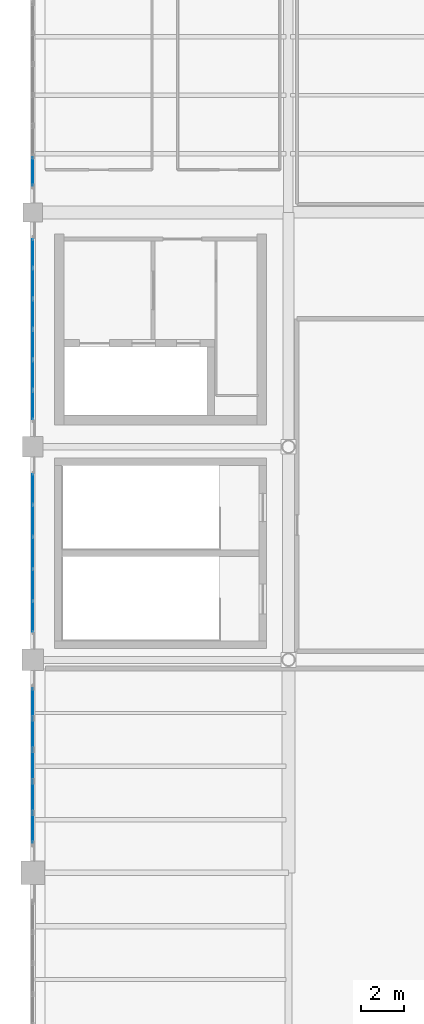
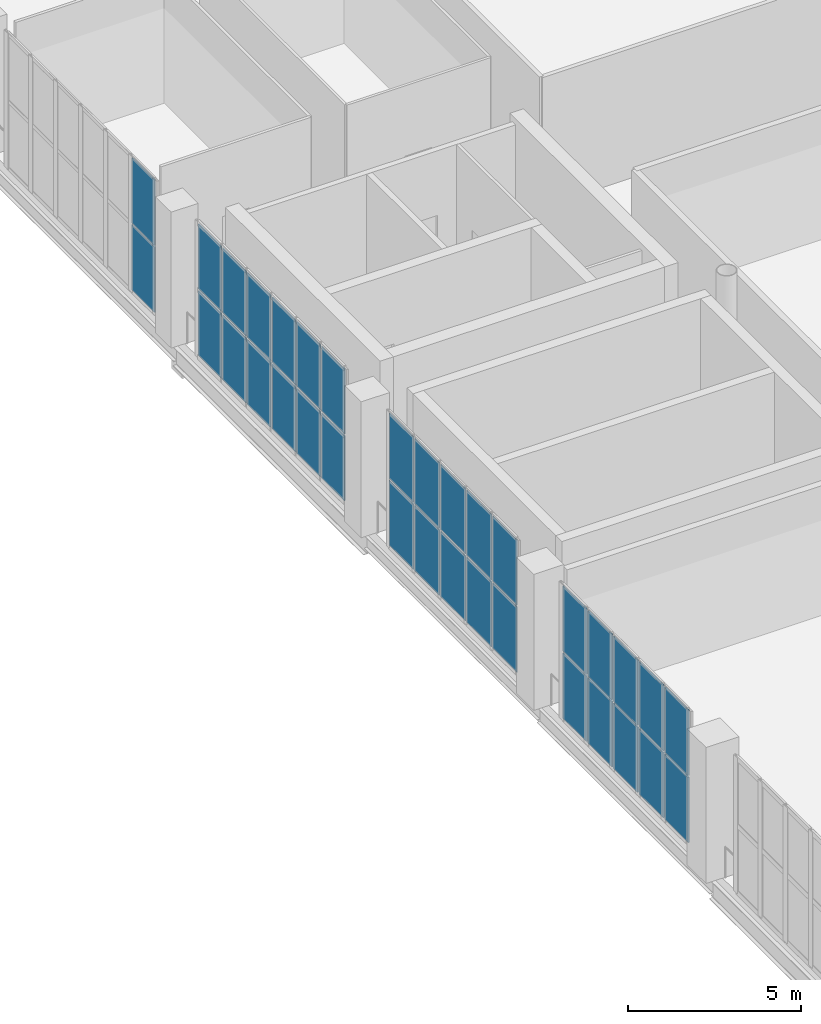
# One storey, part 33 of 49: 34 plates, 4 elements without a shape of their own.
"""IFC4 building model written with IfcOpenShell, lengths in metres."""

from ifc_helpers import new_model, si_unit, direction, frame, origin, origin_2d, place, context, subcontext, project, spatial, rectangle, extrude, material, layer, layer_set, type_object, element, aggregate, save


model = new_model("IFC4")

# Units and contexts
model_context = context("Model", 3, precision=1e-05, world=origin(), true_north=direction((0.0, 1.0)))
body_context = subcontext(model_context, "Body", "Model", "MODEL_VIEW")
ifc_project = project(units=[si_unit("LENGTHUNIT", "METRE"), si_unit("AREAUNIT", "SQUARE_METRE"), si_unit("VOLUMEUNIT", "CUBIC_METRE"), si_unit("PLANEANGLEUNIT", "RADIAN"), si_unit("MASSUNIT", "GRAM", prefix="KILO")], contexts=[model_context])

# Site, building, storey
site_placement = place(None, origin())
site = spatial("IfcSite", under=ifc_project, at=site_placement, CompositionType="ELEMENT")
building_placement = place(site_placement, origin())
building = spatial("IfcBuilding", under=site, at=building_placement, Name="Brinegate Civic Arena", CompositionType="ELEMENT")
storey_placement = place(building_placement, frame((0.0, 0.0, 24.60009765625)))
storey = spatial("IfcBuildingStorey", under=building, at=storey_placement, Name="L05", CompositionType="ELEMENT", Elevation=24.60009765625)

# Curtain wall, plates
ifc_material_1 = material(Name="Marine grade aluminium", Category="aluminium")
ifc_layer_1 = layer(ifc_material_1, 0.199951171875, Name="Marine grade aluminium")
ifc_layer_set_1 = layer_set([ifc_layer_1], Name="Marine grade aluminium")
curtain_wall_type = type_object("IfcCurtainWallType", Name="CW-BOWL-GLAZED-01", PredefinedType="USERDEFINED", material=ifc_layer_set_1)
curtain_wall_1_placement = place(storey_placement, origin())
curtain_wall_1 = element("IfcCurtainWall", 1, at=curtain_wall_1_placement, inside=storey, type_object=curtain_wall_type, Name="Curtain Wall CWA-160", ObjectType="GLAZED CURTAIN WALL", PredefinedType="USERDEFINED")
ifc_material_2 = material(Name="Hurricane laminated low-E glass", Category="glass")
ifc_layer_2 = layer(ifc_material_2, 0.028076171875, Name="Hurricane laminated low-E glass")
ifc_layer_set_2 = layer_set([ifc_layer_2], Name="Hurricane laminated low-E glass")
plate_type_1 = type_object("IfcPlateType", Name="CW-PANEL-GLAZED-28", PredefinedType="CURTAIN_PANEL", material=ifc_layer_set_2)
plate_1_placement = place(storey_placement, frame((48.0, 74.025390625, 0.06494140625), z_axis=(0.0, 0.0, 1.0), x_axis=(0.0, 1.0, 0.0)))
plate_1 = element("IfcPlate", 2, at=plate_1_placement, type_object=plate_type_1, Name="CWA-160 panel 1.1", PredefinedType="CURTAIN_PANEL", context=body_context, shape_type="SweptSolid", body=[
    extrude(rectangle(XDim=1.40673828125, YDim=0.028076171875, at=origin_2d()), origin(), (0.0, 0.0, 1.0), 2.302490234375),
])
plate_2_placement = place(storey_placement, frame((48.0, 74.025390625, 2.4326171875), z_axis=(0.0, 0.0, 1.0), x_axis=(0.0, 1.0, 0.0)))
plate_2 = element("IfcPlate", 3, at=plate_2_placement, type_object=plate_type_1, Name="CWA-160 panel 1.2", PredefinedType="CURTAIN_PANEL", context=body_context, shape_type="SweptSolid", body=[
    extrude(rectangle(XDim=1.40673828125, YDim=0.028076171875, at=origin_2d()), origin(), (0.0, 0.0, 1.0), 2.302490234375),
])
plate_3_placement = place(storey_placement, frame((48.0, 75.51318359375, 0.06494140625), z_axis=(0.0, 0.0, 1.0), x_axis=(0.0, 1.0, 0.0)))
plate_3 = element("IfcPlate", 4, at=plate_3_placement, type_object=plate_type_1, Name="CWA-160 panel 2.1", PredefinedType="CURTAIN_PANEL", context=body_context, shape_type="SweptSolid", body=[
    extrude(rectangle(XDim=1.439208984375, YDim=0.028076171875, at=origin_2d()), origin(), (0.0, 0.0, 1.0), 2.302490234375),
])
plate_4_placement = place(storey_placement, frame((48.0, 75.51318359375, 2.4326171875), z_axis=(0.0, 0.0, 1.0), x_axis=(0.0, 1.0, 0.0)))
plate_4 = element("IfcPlate", 5, at=plate_4_placement, type_object=plate_type_1, Name="CWA-160 panel 2.2", PredefinedType="CURTAIN_PANEL", context=body_context, shape_type="SweptSolid", body=[
    extrude(rectangle(XDim=1.439208984375, YDim=0.028076171875, at=origin_2d()), origin(), (0.0, 0.0, 1.0), 2.302490234375),
])
plate_5_placement = place(storey_placement, frame((48.0, 77.017578125, 0.06494140625), z_axis=(0.0, 0.0, 1.0), x_axis=(0.0, 1.0, 0.0)))
plate_5 = element("IfcPlate", 6, at=plate_5_placement, type_object=plate_type_1, Name="CWA-160 panel 3.1", PredefinedType="CURTAIN_PANEL", context=body_context, shape_type="SweptSolid", body=[
    extrude(rectangle(XDim=1.439208984375, YDim=0.028076171875, at=origin_2d()), origin(), (0.0, 0.0, 1.0), 2.302490234375),
])
plate_6_placement = place(storey_placement, frame((48.0, 77.017578125, 2.4326171875), z_axis=(0.0, 0.0, 1.0), x_axis=(0.0, 1.0, 0.0)))
plate_6 = element("IfcPlate", 7, at=plate_6_placement, type_object=plate_type_1, Name="CWA-160 panel 3.2", PredefinedType="CURTAIN_PANEL", context=body_context, shape_type="SweptSolid", body=[
    extrude(rectangle(XDim=1.439208984375, YDim=0.028076171875, at=origin_2d()), origin(), (0.0, 0.0, 1.0), 2.302490234375),
])
plate_7_placement = place(storey_placement, frame((48.0, 78.521728515625, 0.06494140625), z_axis=(0.0, 0.0, 1.0), x_axis=(0.0, 1.0, 0.0)))
plate_7 = element("IfcPlate", 8, at=plate_7_placement, type_object=plate_type_1, Name="CWA-160 panel 4.1", PredefinedType="CURTAIN_PANEL", context=body_context, shape_type="SweptSolid", body=[
    extrude(rectangle(XDim=1.439208984375, YDim=0.028076171875, at=origin_2d()), origin(), (0.0, 0.0, 1.0), 2.302490234375),
])
plate_8_placement = place(storey_placement, frame((48.0, 78.521728515625, 2.4326171875), z_axis=(0.0, 0.0, 1.0), x_axis=(0.0, 1.0, 0.0)))
plate_8 = element("IfcPlate", 9, at=plate_8_placement, type_object=plate_type_1, Name="CWA-160 panel 4.2", PredefinedType="CURTAIN_PANEL", context=body_context, shape_type="SweptSolid", body=[
    extrude(rectangle(XDim=1.439208984375, YDim=0.028076171875, at=origin_2d()), origin(), (0.0, 0.0, 1.0), 2.302490234375),
])
plate_9_placement = place(storey_placement, frame((48.0, 80.009765625, 0.06494140625), z_axis=(0.0, 0.0, 1.0), x_axis=(0.0, 1.0, 0.0)))
plate_9 = element("IfcPlate", 10, at=plate_9_placement, type_object=plate_type_1, Name="CWA-160 panel 5.1", PredefinedType="CURTAIN_PANEL", context=body_context, shape_type="SweptSolid", body=[
    extrude(rectangle(XDim=1.40673828125, YDim=0.028076171875, at=origin_2d()), origin(), (0.0, 0.0, 1.0), 2.302490234375),
])
plate_10_placement = place(storey_placement, frame((48.0, 80.009765625, 2.4326171875), z_axis=(0.0, 0.0, 1.0), x_axis=(0.0, 1.0, 0.0)))
plate_10 = element("IfcPlate", 11, at=plate_10_placement, type_object=plate_type_1, Name="CWA-160 panel 5.2", PredefinedType="CURTAIN_PANEL", context=body_context, shape_type="SweptSolid", body=[
    extrude(rectangle(XDim=1.40673828125, YDim=0.028076171875, at=origin_2d()), origin(), (0.0, 0.0, 1.0), 2.302490234375),
])
aggregate(curtain_wall_1, [plate_1, plate_2, plate_3, plate_4, plate_5, plate_6, plate_7, plate_8, plate_9, plate_10])

curtain_wall_2_placement = place(storey_placement, origin())
curtain_wall_2 = element("IfcCurtainWall", 12, at=curtain_wall_2_placement, inside=storey, type_object=curtain_wall_type, Name="Curtain Wall CWA-161", ObjectType="GLAZED CURTAIN WALL", PredefinedType="USERDEFINED")
ifc_layer_3 = layer(ifc_material_2, 0.031982421875, Name="Hurricane laminated low-E glass")
ifc_layer_set_3 = layer_set([ifc_layer_3], Name="Hurricane laminated low-E glass")
plate_type_2 = type_object("IfcPlateType", Name="CW-PANEL-GLAZED-32", PredefinedType="CURTAIN_PANEL", material=ifc_layer_set_3)
plate_11_placement = place(storey_placement, frame((48.0, 83.954345703125, 0.074951171875), z_axis=(0.0, 0.0, 1.0), x_axis=(0.0, 1.0, 0.0)))
plate_11 = element("IfcPlate", 13, at=plate_11_placement, type_object=plate_type_2, Name="CWA-161 panel 1.1", PredefinedType="CURTAIN_PANEL", context=body_context, shape_type="SweptSolid", body=[
    extrude(rectangle(XDim=1.33447265625, YDim=0.031982421875, at=origin_2d()), origin(), (0.0, 0.0, 1.0), 2.28759765625),
])
plate_12_placement = place(storey_placement, frame((48.0, 83.954345703125, 2.437255859375), z_axis=(0.0, 0.0, 1.0), x_axis=(0.0, 1.0, 0.0)))
plate_12 = element("IfcPlate", 14, at=plate_12_placement, type_object=plate_type_2, Name="CWA-161 panel 1.2", PredefinedType="CURTAIN_PANEL", context=body_context, shape_type="SweptSolid", body=[
    extrude(rectangle(XDim=1.33447265625, YDim=0.031982421875, at=origin_2d()), origin(), (0.0, 0.0, 1.0), 2.28759765625),
])
plate_13_placement = place(storey_placement, frame((48.0, 85.3701171875, 0.074951171875), z_axis=(0.0, 0.0, 1.0), x_axis=(0.0, 1.0, 0.0)))
plate_13 = element("IfcPlate", 15, at=plate_13_placement, type_object=plate_type_2, Name="CWA-161 panel 2.1", PredefinedType="CURTAIN_PANEL", context=body_context, shape_type="SweptSolid", body=[
    extrude(rectangle(XDim=1.366943359375, YDim=0.031982421875, at=origin_2d()), origin(), (0.0, 0.0, 1.0), 2.28759765625),
])
plate_14_placement = place(storey_placement, frame((48.0, 85.3701171875, 2.437255859375), z_axis=(0.0, 0.0, 1.0), x_axis=(0.0, 1.0, 0.0)))
plate_14 = element("IfcPlate", 16, at=plate_14_placement, type_object=plate_type_2, Name="CWA-161 panel 2.2", PredefinedType="CURTAIN_PANEL", context=body_context, shape_type="SweptSolid", body=[
    extrude(rectangle(XDim=1.366943359375, YDim=0.031982421875, at=origin_2d()), origin(), (0.0, 0.0, 1.0), 2.28759765625),
])
plate_15_placement = place(storey_placement, frame((48.0, 86.802001953125, 0.074951171875), z_axis=(0.0, 0.0, 1.0), x_axis=(0.0, 1.0, 0.0)))
plate_15 = element("IfcPlate", 17, at=plate_15_placement, type_object=plate_type_2, Name="CWA-161 panel 3.1", PredefinedType="CURTAIN_PANEL", context=body_context, shape_type="SweptSolid", body=[
    extrude(rectangle(XDim=1.366943359375, YDim=0.031982421875, at=origin_2d()), origin(), (0.0, 0.0, 1.0), 2.28759765625),
])
plate_16_placement = place(storey_placement, frame((48.0, 86.802001953125, 2.437255859375), z_axis=(0.0, 0.0, 1.0), x_axis=(0.0, 1.0, 0.0)))
plate_16 = element("IfcPlate", 18, at=plate_16_placement, type_object=plate_type_2, Name="CWA-161 panel 3.2", PredefinedType="CURTAIN_PANEL", context=body_context, shape_type="SweptSolid", body=[
    extrude(rectangle(XDim=1.366943359375, YDim=0.031982421875, at=origin_2d()), origin(), (0.0, 0.0, 1.0), 2.28759765625),
])
plate_17_placement = place(storey_placement, frame((48.0, 88.23388671875, 0.074951171875), z_axis=(0.0, 0.0, 1.0), x_axis=(0.0, 1.0, 0.0)))
plate_17 = element("IfcPlate", 19, at=plate_17_placement, type_object=plate_type_2, Name="CWA-161 panel 4.1", PredefinedType="CURTAIN_PANEL", context=body_context, shape_type="SweptSolid", body=[
    extrude(rectangle(XDim=1.366943359375, YDim=0.031982421875, at=origin_2d()), origin(), (0.0, 0.0, 1.0), 2.28759765625),
])
plate_18_placement = place(storey_placement, frame((48.0, 88.23388671875, 2.437255859375), z_axis=(0.0, 0.0, 1.0), x_axis=(0.0, 1.0, 0.0)))
plate_18 = element("IfcPlate", 20, at=plate_18_placement, type_object=plate_type_2, Name="CWA-161 panel 4.2", PredefinedType="CURTAIN_PANEL", context=body_context, shape_type="SweptSolid", body=[
    extrude(rectangle(XDim=1.366943359375, YDim=0.031982421875, at=origin_2d()), origin(), (0.0, 0.0, 1.0), 2.28759765625),
])
plate_19_placement = place(storey_placement, frame((48.0, 89.666015625, 0.074951171875), z_axis=(0.0, 0.0, 1.0), x_axis=(0.0, 1.0, 0.0)))
plate_19 = element("IfcPlate", 21, at=plate_19_placement, type_object=plate_type_2, Name="CWA-161 panel 5.1", PredefinedType="CURTAIN_PANEL", context=body_context, shape_type="SweptSolid", body=[
    extrude(rectangle(XDim=1.366943359375, YDim=0.031982421875, at=origin_2d()), origin(), (0.0, 0.0, 1.0), 2.28759765625),
])
plate_20_placement = place(storey_placement, frame((48.0, 89.666015625, 2.437255859375), z_axis=(0.0, 0.0, 1.0), x_axis=(0.0, 1.0, 0.0)))
plate_20 = element("IfcPlate", 22, at=plate_20_placement, type_object=plate_type_2, Name="CWA-161 panel 5.2", PredefinedType="CURTAIN_PANEL", context=body_context, shape_type="SweptSolid", body=[
    extrude(rectangle(XDim=1.366943359375, YDim=0.031982421875, at=origin_2d()), origin(), (0.0, 0.0, 1.0), 2.28759765625),
])
plate_21_placement = place(storey_placement, frame((48.0, 91.081787109375, 0.074951171875), z_axis=(0.0, 0.0, 1.0), x_axis=(0.0, 1.0, 0.0)))
plate_21 = element("IfcPlate", 23, at=plate_21_placement, type_object=plate_type_2, Name="CWA-161 panel 6.1", PredefinedType="CURTAIN_PANEL", context=body_context, shape_type="SweptSolid", body=[
    extrude(rectangle(XDim=1.33447265625, YDim=0.031982421875, at=origin_2d()), origin(), (0.0, 0.0, 1.0), 2.28759765625),
])
plate_22_placement = place(storey_placement, frame((48.0, 91.081787109375, 2.437255859375), z_axis=(0.0, 0.0, 1.0), x_axis=(0.0, 1.0, 0.0)))
plate_22 = element("IfcPlate", 24, at=plate_22_placement, type_object=plate_type_2, Name="CWA-161 panel 6.2", PredefinedType="CURTAIN_PANEL", context=body_context, shape_type="SweptSolid", body=[
    extrude(rectangle(XDim=1.33447265625, YDim=0.031982421875, at=origin_2d()), origin(), (0.0, 0.0, 1.0), 2.28759765625),
])
aggregate(curtain_wall_2, [plate_11, plate_12, plate_13, plate_14, plate_15, plate_16, plate_17, plate_18, plate_19, plate_20, plate_21, plate_22])

curtain_wall_3_placement = place(storey_placement, origin())
curtain_wall_3 = element("IfcCurtainWall", 25, at=curtain_wall_3_placement, inside=storey, type_object=curtain_wall_type, Name="Curtain Wall CWA-162", ObjectType="GLAZED CURTAIN WALL", PredefinedType="USERDEFINED")
ifc_layer_4 = layer(ifc_material_2, 0.035888671875, Name="Hurricane laminated low-E glass")
ifc_layer_set_4 = layer_set([ifc_layer_4], Name="Hurricane laminated low-E glass")
plate_type_3 = type_object("IfcPlateType", Name="CW-PANEL-GLAZED-36", PredefinedType="CURTAIN_PANEL", material=ifc_layer_set_4)
plate_23_placement = place(storey_placement, frame((48.0, 94.9267578125, 0.06494140625), z_axis=(0.0, 0.0, 1.0), x_axis=(0.0, 1.0, 0.0)))
plate_23 = element("IfcPlate", 26, at=plate_23_placement, type_object=plate_type_3, Name="CWA-162 panel 1.1", PredefinedType="CURTAIN_PANEL", context=body_context, shape_type="SweptSolid", body=[
    extrude(rectangle(XDim=1.331298828125, YDim=0.035888671875, at=origin_2d()), origin(), (0.0, 0.0, 1.0), 2.302490234375),
])
plate_24_placement = place(storey_placement, frame((48.0, 94.9267578125, 2.4326171875), z_axis=(0.0, 0.0, 1.0), x_axis=(0.0, 1.0, 0.0)))
plate_24 = element("IfcPlate", 27, at=plate_24_placement, type_object=plate_type_3, Name="CWA-162 panel 1.2", PredefinedType="CURTAIN_PANEL", context=body_context, shape_type="SweptSolid", body=[
    extrude(rectangle(XDim=1.331298828125, YDim=0.035888671875, at=origin_2d()), origin(), (0.0, 0.0, 1.0), 2.302490234375),
])
aggregate(curtain_wall_3, [plate_23, plate_24])

curtain_wall_4_placement = place(storey_placement, origin())
curtain_wall_4 = element("IfcCurtainWall", 28, at=curtain_wall_4_placement, inside=storey, type_object=curtain_wall_type, Name="Curtain Wall CWA-159", ObjectType="GLAZED CURTAIN WALL", PredefinedType="USERDEFINED")
ifc_layer_5 = layer(ifc_material_2, 0.0419921875, Name="Hurricane laminated low-E glass")
ifc_layer_set_5 = layer_set([ifc_layer_5], Name="Hurricane laminated low-E glass")
plate_type_4 = type_object("IfcPlateType", Name="CW-PANEL-SPANDREL-42", PredefinedType="CURTAIN_PANEL", material=ifc_layer_set_5)
plate_25_placement = place(storey_placement, frame((48.0, 64.089599609375, 0.06494140625), z_axis=(0.0, 0.0, 1.0), x_axis=(0.0, 1.0, 0.0)))
plate_25 = element("IfcPlate", 29, at=plate_25_placement, type_object=plate_type_4, Name="CWA-159 panel 1.1", PredefinedType="CURTAIN_PANEL", context=body_context, shape_type="SweptSolid", body=[
    extrude(rectangle(XDim=1.363037109375, YDim=0.0419921875, at=origin_2d()), origin(), (0.0, 0.0, 1.0), 2.302490234375),
])
plate_26_placement = place(storey_placement, frame((48.0, 64.089599609375, 2.4326171875), z_axis=(0.0, 0.0, 1.0), x_axis=(0.0, 1.0, 0.0)))
plate_26 = element("IfcPlate", 30, at=plate_26_placement, type_object=plate_type_4, Name="CWA-159 panel 1.2", PredefinedType="CURTAIN_PANEL", context=body_context, shape_type="SweptSolid", body=[
    extrude(rectangle(XDim=1.363037109375, YDim=0.0419921875, at=origin_2d()), origin(), (0.0, 0.0, 1.0), 2.302490234375),
])
plate_27_placement = place(storey_placement, frame((48.0, 65.552490234375, 0.06494140625), z_axis=(0.0, 0.0, 1.0), x_axis=(0.0, 1.0, 0.0)))
plate_27 = element("IfcPlate", 31, at=plate_27_placement, type_object=plate_type_4, Name="CWA-159 panel 2.1", PredefinedType="CURTAIN_PANEL", context=body_context, shape_type="SweptSolid", body=[
    extrude(rectangle(XDim=1.403076171875, YDim=0.0419921875, at=origin_2d()), origin(), (0.0, 0.0, 1.0), 2.302490234375),
])
plate_28_placement = place(storey_placement, frame((48.0, 65.552490234375, 2.4326171875), z_axis=(0.0, 0.0, 1.0), x_axis=(0.0, 1.0, 0.0)))
plate_28 = element("IfcPlate", 32, at=plate_28_placement, type_object=plate_type_4, Name="CWA-159 panel 2.2", PredefinedType="CURTAIN_PANEL", context=body_context, shape_type="SweptSolid", body=[
    extrude(rectangle(XDim=1.403076171875, YDim=0.0419921875, at=origin_2d()), origin(), (0.0, 0.0, 1.0), 2.302490234375),
])
plate_29_placement = place(storey_placement, frame((48.0, 67.035400390625, 0.06494140625), z_axis=(0.0, 0.0, 1.0), x_axis=(0.0, 1.0, 0.0)))
plate_29 = element("IfcPlate", 33, at=plate_29_placement, type_object=plate_type_4, Name="CWA-159 panel 3.1", PredefinedType="CURTAIN_PANEL", context=body_context, shape_type="SweptSolid", body=[
    extrude(rectangle(XDim=1.403076171875, YDim=0.0419921875, at=origin_2d()), origin(), (0.0, 0.0, 1.0), 2.302490234375),
])
plate_30_placement = place(storey_placement, frame((48.0, 67.035400390625, 2.4326171875), z_axis=(0.0, 0.0, 1.0), x_axis=(0.0, 1.0, 0.0)))
plate_30 = element("IfcPlate", 34, at=plate_30_placement, type_object=plate_type_4, Name="CWA-159 panel 3.2", PredefinedType="CURTAIN_PANEL", context=body_context, shape_type="SweptSolid", body=[
    extrude(rectangle(XDim=1.403076171875, YDim=0.0419921875, at=origin_2d()), origin(), (0.0, 0.0, 1.0), 2.302490234375),
])
plate_31_placement = place(storey_placement, frame((48.0, 68.5185546875, 0.06494140625), z_axis=(0.0, 0.0, 1.0), x_axis=(0.0, 1.0, 0.0)))
plate_31 = element("IfcPlate", 35, at=plate_31_placement, type_object=plate_type_4, Name="CWA-159 panel 4.1", PredefinedType="CURTAIN_PANEL", context=body_context, shape_type="SweptSolid", body=[
    extrude(rectangle(XDim=1.403076171875, YDim=0.0419921875, at=origin_2d()), origin(), (0.0, 0.0, 1.0), 2.302490234375),
])
plate_32_placement = place(storey_placement, frame((48.0, 68.5185546875, 2.4326171875), z_axis=(0.0, 0.0, 1.0), x_axis=(0.0, 1.0, 0.0)))
plate_32 = element("IfcPlate", 36, at=plate_32_placement, type_object=plate_type_4, Name="CWA-159 panel 4.2", PredefinedType="CURTAIN_PANEL", context=body_context, shape_type="SweptSolid", body=[
    extrude(rectangle(XDim=1.403076171875, YDim=0.0419921875, at=origin_2d()), origin(), (0.0, 0.0, 1.0), 2.302490234375),
])
plate_33_placement = place(storey_placement, frame((48.0, 69.9814453125, 0.06494140625), z_axis=(0.0, 0.0, 1.0), x_axis=(0.0, 1.0, 0.0)))
plate_33 = element("IfcPlate", 37, at=plate_33_placement, type_object=plate_type_4, Name="CWA-159 panel 5.1", PredefinedType="CURTAIN_PANEL", context=body_context, shape_type="SweptSolid", body=[
    extrude(rectangle(XDim=1.363037109375, YDim=0.0419921875, at=origin_2d()), origin(), (0.0, 0.0, 1.0), 2.302490234375),
])
plate_34_placement = place(storey_placement, frame((48.0, 69.9814453125, 2.4326171875), z_axis=(0.0, 0.0, 1.0), x_axis=(0.0, 1.0, 0.0)))
plate_34 = element("IfcPlate", 38, at=plate_34_placement, type_object=plate_type_4, Name="CWA-159 panel 5.2", PredefinedType="CURTAIN_PANEL", context=body_context, shape_type="SweptSolid", body=[
    extrude(rectangle(XDim=1.363037109375, YDim=0.0419921875, at=origin_2d()), origin(), (0.0, 0.0, 1.0), 2.302490234375),
])
aggregate(curtain_wall_4, [plate_25, plate_26, plate_27, plate_28, plate_29, plate_30, plate_31, plate_32, plate_33, plate_34])

save(model, "model.ifc")
